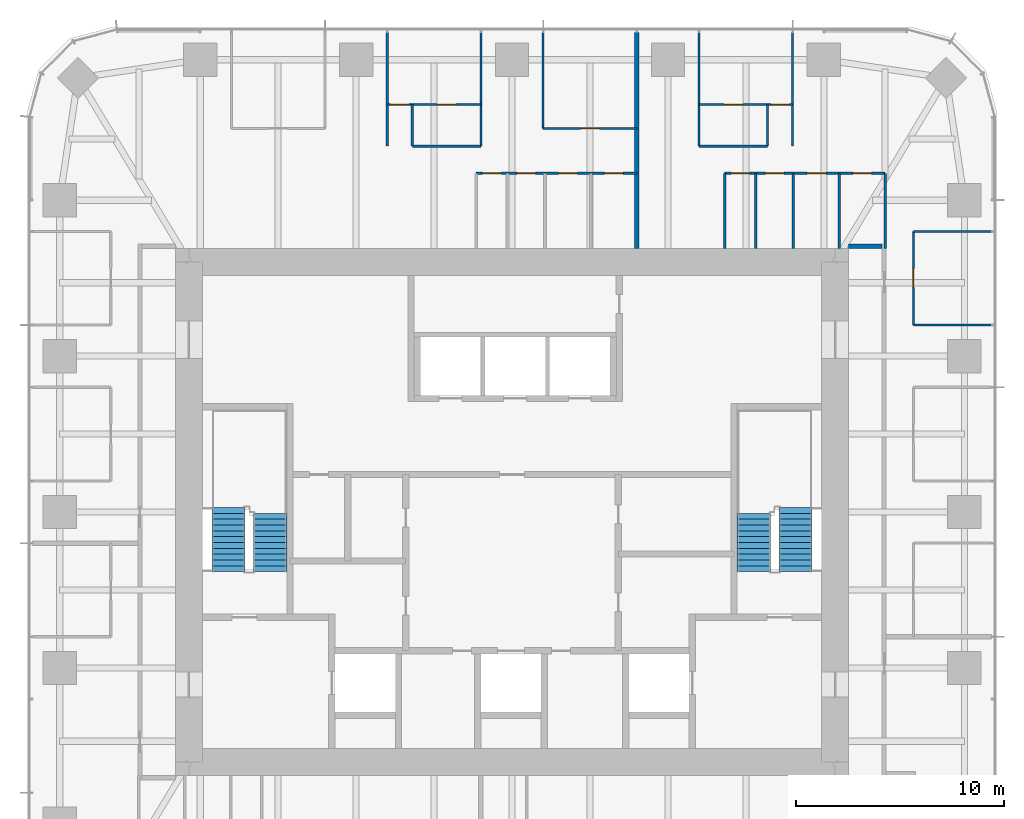
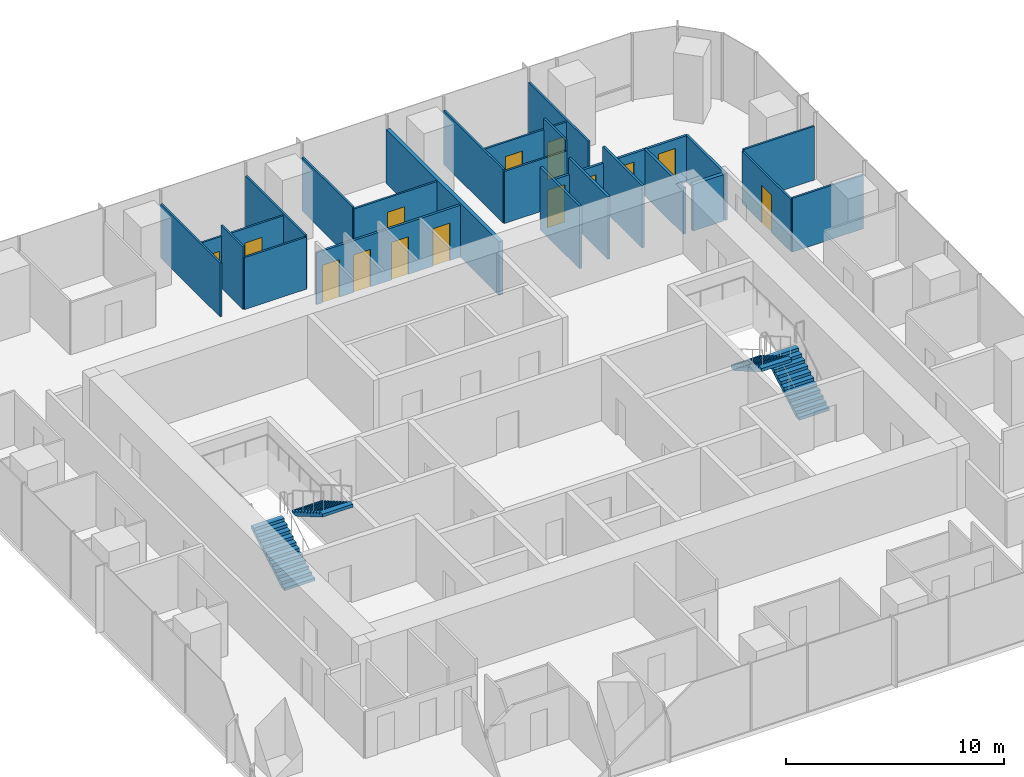
# One storey, part 11 of 12: 24 walls, 14 doors, 4 stair flights, 14 openings, 2 elements without a shape of their own.
"""IFC4 building model written with IfcOpenShell, lengths in metres."""

from ifc_helpers import new_model, si_unit, direction, frame, frame_2d, origin, place, context, subcontext, project, spatial, polyline, rectangle, outline, extrude, material, layer, layer_set, type_object, element, fill, aggregate, save


model = new_model("IFC4")

# Units and contexts
model_context = context("Model", 3, precision=1e-05, world=origin(), true_north=direction((0.0, 1.0)))
body_context = subcontext(model_context, "Body", "Model", "MODEL_VIEW")
ifc_project = project(units=[si_unit("LENGTHUNIT", "METRE"), si_unit("AREAUNIT", "SQUARE_METRE"), si_unit("VOLUMEUNIT", "CUBIC_METRE"), si_unit("PLANEANGLEUNIT", "RADIAN"), si_unit("MASSUNIT", "GRAM", prefix="KILO")], contexts=[model_context])

# Site, building, storey
site_placement = place(None, origin())
site = spatial("IfcSite", under=ifc_project, at=site_placement, CompositionType="ELEMENT")
building_placement = place(site_placement, origin())
building = spatial("IfcBuilding", under=site, at=building_placement, Name="Khuree Lantern Residences", CompositionType="ELEMENT")
storey_placement = place(building_placement, frame((0.0, 0.0, 330.75)))
storey = spatial("IfcBuildingStorey", under=building, at=storey_placement, Name="L83", CompositionType="ELEMENT", Elevation=330.75)

# Wall, openings, doors
ifc_material_1 = material(Name="Moisture-resistant gypsum board on steel studs", Category="steel")
ifc_layer_1 = layer(ifc_material_1, 0.125)
ifc_layer_set_1 = layer_set([ifc_layer_1], Name="BATHROOM WALL BTW125")
wall_type_1 = type_object("IfcWallType", Name="BATHROOM WALL BTW125", PredefinedType="PARTITIONING", material=ifc_layer_set_1)
wall_1_placement = place(storey_placement, frame((17.89990234375, 16.246337890625, 0.0), z_axis=(0.0, 0.0, 1.0), x_axis=(-1.0, 0.0, 0.0)))
wall_1 = element("IfcWall", 1, at=wall_1_placement, inside=storey, type_object=wall_type_1, Name="L83 BATHROOM WALL 01", PredefinedType="PARTITIONING", context=body_context, shape_type="SweptSolid", body=[
    extrude(rectangle(XDim=7.699951171875, YDim=0.125, at=frame_2d((3.85009765625, 0.0))), origin(), (0.0, 0.0, 1.0), 2.60009765625),
])
opening_1_placement = place(wall_1_placement, frame((0.64990234375, 0.0, 0.0)))
opening_1 = element("IfcOpeningElement", 2, at=opening_1_placement, cuts=wall_1, Name="Opening 83-027", PredefinedType="OPENING", context=body_context, shape_type="SweptSolid", body=[
    extrude(rectangle(XDim=0.89990234375, YDim=2.10009765625, at=frame_2d((0.449951171875, 1.050048828125))), frame((0.0, 0.072509765625, 0.0), z_axis=(0.0, -1.0, 0.0), x_axis=(1.0, 0.0, 0.0)), (0.0, 0.0, 1.0), 0.14501953125),
])
opening_2_placement = place(wall_1_placement, frame((2.85009765625, 0.0, 0.0)))
opening_2 = element("IfcOpeningElement", 3, at=opening_2_placement, cuts=wall_1, Name="Opening 83-028", PredefinedType="OPENING", context=body_context, shape_type="SweptSolid", body=[
    extrude(rectangle(XDim=0.89990234375, YDim=2.10009765625, at=frame_2d((0.449951171875, 1.050048828125))), frame((0.0, 0.072509765625, 0.0), z_axis=(0.0, -1.0, 0.0), x_axis=(1.0, 0.0, 0.0)), (0.0, 0.0, 1.0), 0.14501953125),
])
opening_3_placement = place(wall_1_placement, frame((4.85009765625, 0.0, 0.0)))
opening_3 = element("IfcOpeningElement", 4, at=opening_3_placement, cuts=wall_1, Name="Opening 83-029", PredefinedType="OPENING", context=body_context, shape_type="SweptSolid", body=[
    extrude(rectangle(XDim=0.89990234375, YDim=2.10009765625, at=frame_2d((0.449951171875, 1.050048828125))), frame((0.0, 0.072509765625, 0.0), z_axis=(0.0, -1.0, 0.0), x_axis=(1.0, 0.0, 0.0)), (0.0, 0.0, 1.0), 0.14501953125),
])
opening_4_placement = place(wall_1_placement, frame((6.5, 0.0, 0.0)))
opening_4 = element("IfcOpeningElement", 5, at=opening_4_placement, cuts=wall_1, Name="Opening 83-030", PredefinedType="OPENING", context=body_context, shape_type="SweptSolid", body=[
    extrude(rectangle(XDim=0.89990234375, YDim=2.10009765625, at=frame_2d((0.449951171875, 1.050048828125))), frame((0.0, 0.072509765625, 0.0), z_axis=(0.0, -1.0, 0.0), x_axis=(1.0, 0.0, 0.0)), (0.0, 0.0, 1.0), 0.14501953125),
])
ifc_material_2 = material(Name="Timber door leaf in hardwood frame", Category="wood")
door_type_1 = type_object("IfcDoorType", Name="BATHROOM DOOR 900X2100", OperationType="SINGLE_SWING_LEFT", PredefinedType="DOOR", material=ifc_material_2)
door_1_placement = place(opening_1_placement, origin())
door_1 = element("IfcDoor", 6, at=door_1_placement, inside=storey, type_object=door_type_1, Name="Bathroom door 83-027", OperationType="SINGLE_SWING_LEFT", OverallHeight=2.10009765625, OverallWidth=0.89990234375, PredefinedType="DOOR", context=body_context, shape_type="SweptSolid", body=[
    extrude(rectangle(XDim=0.89990234375, YDim=2.10009765625, at=frame_2d((0.449951171875, 1.050048828125))), frame((0.0, 0.02490234375, 0.0), z_axis=(0.0, -1.0, 0.0), x_axis=(1.0, 0.0, 0.0)), (0.0, 0.0, 1.0), 0.050048828125),
])
fill(opening_1, door_1)
door_2_placement = place(opening_2_placement, origin())
door_2 = element("IfcDoor", 7, at=door_2_placement, inside=storey, type_object=door_type_1, Name="Bathroom door 83-028", OperationType="SINGLE_SWING_LEFT", OverallHeight=2.10009765625, OverallWidth=0.89990234375, PredefinedType="DOOR", context=body_context, shape_type="SweptSolid", body=[
    extrude(rectangle(XDim=0.89990234375, YDim=2.10009765625, at=frame_2d((0.449951171875, 1.050048828125))), frame((0.0, 0.02490234375, 0.0), z_axis=(0.0, -1.0, 0.0), x_axis=(1.0, 0.0, 0.0)), (0.0, 0.0, 1.0), 0.050048828125),
])
fill(opening_2, door_2)
door_type_2 = type_object("IfcDoorType", Name="DOOR 900X2100", OperationType="SINGLE_SWING_LEFT", PredefinedType="DOOR", material=ifc_material_2)
door_3_placement = place(opening_3_placement, origin())
door_3 = element("IfcDoor", 8, at=door_3_placement, inside=storey, type_object=door_type_2, Name="Store door 83-029", OperationType="SINGLE_SWING_LEFT", OverallHeight=2.10009765625, OverallWidth=0.89990234375, PredefinedType="DOOR", context=body_context, shape_type="SweptSolid", body=[
    extrude(rectangle(XDim=0.89990234375, YDim=2.10009765625, at=frame_2d((0.449951171875, 1.050048828125))), frame((0.0, 0.02490234375, 0.0), z_axis=(0.0, -1.0, 0.0), x_axis=(1.0, 0.0, 0.0)), (0.0, 0.0, 1.0), 0.050048828125),
])
fill(opening_3, door_3)
door_type_3 = type_object("IfcDoorType", Name="WC DOOR 900X2100", OperationType="SINGLE_SWING_LEFT", PredefinedType="DOOR", material=ifc_material_2)
door_4_placement = place(opening_4_placement, origin())
door_4 = element("IfcDoor", 9, at=door_4_placement, inside=storey, type_object=door_type_3, Name="WC door 83-030", OperationType="SINGLE_SWING_LEFT", OverallHeight=2.10009765625, OverallWidth=0.89990234375, PredefinedType="DOOR", context=body_context, shape_type="SweptSolid", body=[
    extrude(rectangle(XDim=0.89990234375, YDim=2.10009765625, at=frame_2d((0.449951171875, 1.050048828125))), frame((0.0, 0.02490234375, 0.0), z_axis=(0.0, -1.0, 0.0), x_axis=(1.0, 0.0, 0.0)), (0.0, 0.0, 1.0), 0.050048828125),
])
fill(opening_4, door_4)

# Walls
for number, where, z_axis, x_axis, name in (
    (10, (17.89990234375, 12.64990234375, 0.0), (0.0, 0.0, 1.0), (0.0, 1.0, 0.0), "L83 BATHROOM WALL 01"),
    (11, (15.699951171875, 12.64990234375, 0.0), (0.0, 0.0, 1.0), (0.0, 1.0, 0.0), "L83 BATHROOM WALL 01"),
):
    element("IfcWall", number, at=place(storey_placement, frame(where, z_axis=z_axis, x_axis=x_axis)), inside=storey, type_object=wall_type_1, Name=name, PredefinedType="PARTITIONING", context=body_context, shape_type="SweptSolid", body=[
        extrude(rectangle(XDim=3.596435546875, YDim=0.125, at=frame_2d((1.79833984375, 0.0))), origin(), (0.0, 0.0, 1.0), 2.60009765625),
    ])
for number, where, z_axis, x_axis, name in (
    (12, (13.5, 12.64990234375, 0.0), (0.0, 0.0, 1.0), (0.0, 1.0, 0.0), "L83 BATHROOM WALL 01"),
    (13, (11.699951171875, 12.64990234375, 0.0), (0.0, 0.0, 1.0), (0.0, 1.0, 0.0), "L83 BATHROOM WALL 01"),
    (14, (10.199951171875, 12.64990234375, 0.0), (0.0, 0.0, 1.0), (0.0, 1.0, 0.0), "L83 BATHROOM WALL 01"),
):
    element("IfcWall", number, at=place(storey_placement, frame(where, z_axis=z_axis, x_axis=x_axis)), inside=storey, type_object=wall_type_1, Name=name, PredefinedType="PARTITIONING", context=body_context, shape_type="SweptSolid", body=[
        extrude(rectangle(XDim=3.596435546875, YDim=0.125, at=frame_2d((1.79833984375, 0.0))), origin(), (0.0, 0.0, 1.0), 3.5),
    ])

# Wall, openings, doors
wall_2_placement = place(storey_placement, frame((5.98388671875, 16.246337890625, 0.0), z_axis=(0.0, 0.0, 1.0), x_axis=(-1.0, 0.0, 0.0)))
wall_2 = element("IfcWall", 15, at=wall_2_placement, inside=storey, type_object=wall_type_1, Name="L83 BATHROOM WALL 02", PredefinedType="PARTITIONING", context=body_context, shape_type="SweptSolid", body=[
    extrude(rectangle(XDim=7.699951171875, YDim=0.125, at=frame_2d((3.85009765625, 0.0))), origin(), (0.0, 0.0, 1.0), 2.89990234375),
])
opening_5_placement = place(wall_2_placement, frame((0.64990234375, 0.0, 0.0)))
opening_5 = element("IfcOpeningElement", 16, at=opening_5_placement, cuts=wall_2, Name="Opening 83-038", PredefinedType="OPENING", context=body_context, shape_type="SweptSolid", body=[
    extrude(rectangle(XDim=0.89990234375, YDim=2.10009765625, at=frame_2d((0.449951171875, 1.050048828125))), frame((0.0, 0.072509765625, 0.0), z_axis=(0.0, -1.0, 0.0), x_axis=(1.0, 0.0, 0.0)), (0.0, 0.0, 1.0), 0.14501953125),
])
opening_6_placement = place(wall_2_placement, frame((2.85009765625, 0.0, 0.0)))
opening_6 = element("IfcOpeningElement", 17, at=opening_6_placement, cuts=wall_2, Name="Opening 83-039", PredefinedType="OPENING", context=body_context, shape_type="SweptSolid", body=[
    extrude(rectangle(XDim=0.89990234375, YDim=2.10009765625, at=frame_2d((0.449951171875, 1.050048828125))), frame((0.0, 0.072509765625, 0.0), z_axis=(0.0, -1.0, 0.0), x_axis=(1.0, 0.0, 0.0)), (0.0, 0.0, 1.0), 0.14501953125),
])
opening_7_placement = place(wall_2_placement, frame((4.85009765625, 0.0, 0.0)))
opening_7 = element("IfcOpeningElement", 18, at=opening_7_placement, cuts=wall_2, Name="Opening 83-040", PredefinedType="OPENING", context=body_context, shape_type="SweptSolid", body=[
    extrude(rectangle(XDim=0.89990234375, YDim=2.10009765625, at=frame_2d((0.449951171875, 1.050048828125))), frame((0.0, 0.072509765625, 0.0), z_axis=(0.0, -1.0, 0.0), x_axis=(1.0, 0.0, 0.0)), (0.0, 0.0, 1.0), 0.14501953125),
])
opening_8_placement = place(wall_2_placement, frame((6.5, 0.0, 0.0)))
opening_8 = element("IfcOpeningElement", 19, at=opening_8_placement, cuts=wall_2, Name="Opening 83-041", PredefinedType="OPENING", context=body_context, shape_type="SweptSolid", body=[
    extrude(rectangle(XDim=0.89990234375, YDim=2.10009765625, at=frame_2d((0.449951171875, 1.050048828125))), frame((0.0, 0.072509765625, 0.0), z_axis=(0.0, -1.0, 0.0), x_axis=(1.0, 0.0, 0.0)), (0.0, 0.0, 1.0), 0.14501953125),
])
door_5_placement = place(opening_5_placement, origin())
door_5 = element("IfcDoor", 20, at=door_5_placement, inside=storey, type_object=door_type_1, Name="Bathroom door 83-038", OperationType="SINGLE_SWING_LEFT", OverallHeight=2.10009765625, OverallWidth=0.89990234375, PredefinedType="DOOR", context=body_context, shape_type="SweptSolid", body=[
    extrude(rectangle(XDim=0.89990234375, YDim=2.10009765625, at=frame_2d((0.449951171875, 1.050048828125))), frame((0.0, 0.02490234375, 0.0), z_axis=(0.0, -1.0, 0.0), x_axis=(1.0, 0.0, 0.0)), (0.0, 0.0, 1.0), 0.050048828125),
])
fill(opening_5, door_5)
door_6_placement = place(opening_6_placement, origin())
door_6 = element("IfcDoor", 21, at=door_6_placement, inside=storey, type_object=door_type_1, Name="Bathroom door 83-039", OperationType="SINGLE_SWING_LEFT", OverallHeight=2.10009765625, OverallWidth=0.89990234375, PredefinedType="DOOR", context=body_context, shape_type="SweptSolid", body=[
    extrude(rectangle(XDim=0.89990234375, YDim=2.10009765625, at=frame_2d((0.449951171875, 1.050048828125))), frame((0.0, 0.02490234375, 0.0), z_axis=(0.0, -1.0, 0.0), x_axis=(1.0, 0.0, 0.0)), (0.0, 0.0, 1.0), 0.050048828125),
])
fill(opening_6, door_6)
door_7_placement = place(opening_7_placement, origin())
door_7 = element("IfcDoor", 22, at=door_7_placement, inside=storey, type_object=door_type_2, Name="Store door 83-040", OperationType="SINGLE_SWING_LEFT", OverallHeight=2.10009765625, OverallWidth=0.89990234375, PredefinedType="DOOR", context=body_context, shape_type="SweptSolid", body=[
    extrude(rectangle(XDim=0.89990234375, YDim=2.10009765625, at=frame_2d((0.449951171875, 1.050048828125))), frame((0.0, 0.02490234375, 0.0), z_axis=(0.0, -1.0, 0.0), x_axis=(1.0, 0.0, 0.0)), (0.0, 0.0, 1.0), 0.050048828125),
])
fill(opening_7, door_7)
door_8_placement = place(opening_8_placement, origin())
door_8 = element("IfcDoor", 23, at=door_8_placement, inside=storey, type_object=door_type_3, Name="WC door 83-041", OperationType="SINGLE_SWING_LEFT", OverallHeight=2.10009765625, OverallWidth=0.89990234375, PredefinedType="DOOR", context=body_context, shape_type="SweptSolid", body=[
    extrude(rectangle(XDim=0.89990234375, YDim=2.10009765625, at=frame_2d((0.449951171875, 1.050048828125))), frame((0.0, 0.02490234375, 0.0), z_axis=(0.0, -1.0, 0.0), x_axis=(1.0, 0.0, 0.0)), (0.0, 0.0, 1.0), 0.050048828125),
])
fill(opening_8, door_8)

# Walls
ifc_material_3 = material(Name="Gypsum board on steel studs", Category="steel")
ifc_layer_2 = layer(ifc_material_3, 0.199951171875)
ifc_layer_set_2 = layer_set([ifc_layer_2], Name="CORRIDOR WALL CRW200 EI 60")
wall_type_2 = type_object("IfcWallType", Name="CORRIDOR WALL CRW200 EI 60", PredefinedType="PARTITIONING", material=ifc_layer_set_2)
wall_3_placement = place(storey_placement, frame((16.14990234375, 12.75, 0.0), z_axis=(0.0, 0.0, 1.0), x_axis=(1.0, 0.0, 0.0)))
element("IfcWall", 24, at=wall_3_placement, inside=storey, type_object=wall_type_2, Name="L83 EAST CORRIDOR NORTH END WALL", PredefinedType="PARTITIONING", context=body_context, shape_type="SweptSolid", body=[
    extrude(rectangle(XDim=1.60009765625, YDim=0.199951171875, at=frame_2d((0.800048828125, 0.0))), origin(), (0.0, 0.0, 1.0), 2.60009765625),
])
ifc_layer_3 = layer(ifc_material_3, 0.199951171875)
ifc_layer_set_3 = layer_set([ifc_layer_3], Name="DEMISING WALL DMW200 EI 90")
wall_type_3 = type_object("IfcWallType", Name="DEMISING WALL DMW200 EI 90", PredefinedType="PARTITIONING", material=ifc_layer_set_3)
wall_4_placement = place(storey_placement, frame((5.98388671875, 12.64990234375, 0.0), z_axis=(0.0, 0.0, 1.0), x_axis=(0.0, 1.0, 0.0)))
element("IfcWall", 25, at=wall_4_placement, inside=storey, type_object=wall_type_3, Name="L83 DEMISING WALL 02", PredefinedType="PARTITIONING", context=body_context, shape_type="SweptSolid", body=[
    extrude(rectangle(XDim=10.35009765625, YDim=0.199951171875, at=frame_2d((5.175048828125, 0.0))), origin(), (0.0, 0.0, 1.0), 3.010009765625),
])
ifc_layer_4 = layer(ifc_material_3, 0.10009765625)
ifc_layer_set_4 = layer_set([ifc_layer_4], Name="PARTITION PT100")
wall_type_4 = type_object("IfcWallType", Name="PARTITION PT100", PredefinedType="PARTITIONING", material=ifc_layer_set_4)
for number, where, z_axis, x_axis, name in (
    (26, (19.25, 8.97607421875, 0.0), (0.0, 0.0, 1.0), (1.0, 0.0, 0.0), "L83 PARTITION 01"),
    (27, (19.25, 13.464111328125, 0.0), (0.0, 0.0, 1.0), (1.0, 0.0, 0.0), "L83 PARTITION 01"),
):
    element("IfcWall", number, at=place(storey_placement, frame(where, z_axis=z_axis, x_axis=x_axis)), inside=storey, type_object=wall_type_4, Name=name, PredefinedType="PARTITIONING", context=body_context, shape_type="SweptSolid", body=[
        extrude(rectangle(XDim=3.75, YDim=0.10009765625, at=frame_2d((1.875, 0.0))), origin(), (0.0, 0.0, 1.0), 3.010009765625),
    ])
for number, where, z_axis, x_axis, name in (
    (28, (13.464111328125, 17.54638671875, 0.0), (0.0, 0.0, 1.0), (0.0, 1.0, 0.0), "L83 PARTITION 01"),
    (29, (8.97607421875, 17.54638671875, 0.0), (0.0, 0.0, 1.0), (0.0, 1.0, 0.0), "L83 PARTITION 01"),
):
    element("IfcWall", number, at=place(storey_placement, frame(where, z_axis=z_axis, x_axis=x_axis)), inside=storey, type_object=wall_type_4, Name=name, PredefinedType="PARTITIONING", context=body_context, shape_type="SweptSolid", body=[
        extrude(rectangle(XDim=5.45361328125, YDim=0.10009765625, at=frame_2d((2.726806640625, 0.0))), origin(), (0.0, 0.0, 1.0), 3.010009765625),
    ])
wall_5_placement = place(storey_placement, frame((1.49609375, 18.39990234375, 0.0), z_axis=(0.0, 0.0, 1.0), x_axis=(0.0, 1.0, 0.0)))
element("IfcWall", 30, at=wall_5_placement, inside=storey, type_object=wall_type_4, Name="L83 PARTITION 02", PredefinedType="PARTITIONING", context=body_context, shape_type="SweptSolid", body=[
    extrude(rectangle(XDim=4.60009765625, YDim=0.10009765625, at=frame_2d((2.300048828125, 0.0))), origin(), (0.0, 0.0, 1.0), 3.010009765625),
])
for number, where, z_axis, x_axis, name in (
    (31, (-1.49609375, 17.54638671875, 0.0), (0.0, 0.0, 1.0), (0.0, 1.0, 0.0), "L83 PARTITION 02"),
    (32, (-5.98388671875, 17.54638671875, 0.0), (0.0, 0.0, 1.0), (0.0, 1.0, 0.0), "L83 PARTITION 02"),
):
    element("IfcWall", number, at=place(storey_placement, frame(where, z_axis=z_axis, x_axis=x_axis)), inside=storey, type_object=wall_type_4, Name=name, PredefinedType="PARTITIONING", context=body_context, shape_type="SweptSolid", body=[
        extrude(rectangle(XDim=5.45361328125, YDim=0.10009765625, at=frame_2d((2.726806640625, 0.0))), origin(), (0.0, 0.0, 1.0), 3.010009765625),
    ])

# Wall, opening, door
wall_6_placement = place(storey_placement, frame((19.25, 8.97607421875, 0.0), z_axis=(0.0, 0.0, 1.0), x_axis=(0.0, 1.0, 0.0)))
wall_6 = element("IfcWall", 33, at=wall_6_placement, inside=storey, type_object=wall_type_4, Name="L83 PARTITION 01", PredefinedType="PARTITIONING", context=body_context, shape_type="SweptSolid", body=[
    extrude(rectangle(XDim=4.488037109375, YDim=0.10009765625, at=frame_2d((2.244140625, 0.0))), origin(), (0.0, 0.0, 1.0), 2.909912109375),
])
opening_9_placement = place(wall_6_placement, frame((1.7939453125, 0.0, 0.0)))
opening_9 = element("IfcOpeningElement", 34, at=opening_9_placement, cuts=wall_6, Name="Opening 83-024", PredefinedType="OPENING", context=body_context, shape_type="SweptSolid", body=[
    extrude(rectangle(XDim=0.89990234375, YDim=2.10009765625, at=frame_2d((0.449951171875, 1.050048828125))), frame((0.0, 0.06005859375, 0.0), z_axis=(0.0, -1.0, 0.0), x_axis=(1.0, 0.0, 0.0)), (0.0, 0.0, 1.0), 0.1201171875),
])
door_type_4 = type_object("IfcDoorType", Name="BEDROOM DOOR 900X2100", OperationType="SINGLE_SWING_LEFT", PredefinedType="DOOR", material=ifc_material_2)
door_9_placement = place(opening_9_placement, origin())
door_9 = element("IfcDoor", 35, at=door_9_placement, inside=storey, type_object=door_type_4, Name="Bedroom door 83-024", OperationType="SINGLE_SWING_LEFT", OverallHeight=2.10009765625, OverallWidth=0.89990234375, PredefinedType="DOOR", context=body_context, shape_type="SweptSolid", body=[
    extrude(rectangle(XDim=0.89990234375, YDim=2.10009765625, at=frame_2d((0.449951171875, 1.050048828125))), frame((0.0, 0.02490234375, 0.0), z_axis=(0.0, -1.0, 0.0), x_axis=(1.0, 0.0, 0.0)), (0.0, 0.0, 1.0), 0.050048828125),
])
fill(opening_9, door_9)

# Wall, openings, doors
wall_7_placement = place(storey_placement, frame((13.464111328125, 19.54638671875, 0.0), z_axis=(0.0, 0.0, 1.0), x_axis=(-1.0, 0.0, 0.0)))
wall_7 = element("IfcWall", 36, at=wall_7_placement, inside=storey, type_object=wall_type_4, Name="L83 PARTITION 01", PredefinedType="PARTITIONING", context=body_context, shape_type="SweptSolid", body=[
    extrude(rectangle(XDim=4.488037109375, YDim=0.10009765625, at=frame_2d((2.244140625, 0.0))), origin(), (0.0, 0.0, 1.0), 2.909912109375),
])
opening_10_placement = place(wall_7_placement, frame((0.14990234375, 0.0, 0.0)))
opening_10 = element("IfcOpeningElement", 37, at=opening_10_placement, cuts=wall_7, Name="Opening 83-025", PredefinedType="OPENING", context=body_context, shape_type="SweptSolid", body=[
    extrude(rectangle(XDim=0.89990234375, YDim=2.10009765625, at=frame_2d((0.449951171875, 1.050048828125))), frame((0.0, 0.06005859375, 0.0), z_axis=(0.0, -1.0, 0.0), x_axis=(1.0, 0.0, 0.0)), (0.0, 0.0, 1.0), 0.1201171875),
])
opening_11_placement = place(wall_7_placement, frame((2.39404296875, 0.0, 0.0)))
opening_11 = element("IfcOpeningElement", 38, at=opening_11_placement, cuts=wall_7, Name="Opening 83-026", PredefinedType="OPENING", context=body_context, shape_type="SweptSolid", body=[
    extrude(rectangle(XDim=0.89990234375, YDim=2.10009765625, at=frame_2d((0.449951171875, 1.050048828125))), frame((0.0, 0.06005859375, 0.0), z_axis=(0.0, -1.0, 0.0), x_axis=(1.0, 0.0, 0.0)), (0.0, 0.0, 1.0), 0.1201171875),
])
door_10_placement = place(opening_10_placement, origin())
door_10 = element("IfcDoor", 39, at=door_10_placement, inside=storey, type_object=door_type_4, Name="Bedroom door 83-025", OperationType="SINGLE_SWING_LEFT", OverallHeight=2.10009765625, OverallWidth=0.89990234375, PredefinedType="DOOR", context=body_context, shape_type="SweptSolid", body=[
    extrude(rectangle(XDim=0.89990234375, YDim=2.10009765625, at=frame_2d((0.449951171875, 1.050048828125))), frame((0.0, 0.02490234375, 0.0), z_axis=(0.0, -1.0, 0.0), x_axis=(1.0, 0.0, 0.0)), (0.0, 0.0, 1.0), 0.050048828125),
])
fill(opening_10, door_10)
door_11_placement = place(opening_11_placement, origin())
door_11 = element("IfcDoor", 40, at=door_11_placement, inside=storey, type_object=door_type_2, Name="Wardrobe door 83-026", OperationType="SINGLE_SWING_LEFT", OverallHeight=2.10009765625, OverallWidth=0.89990234375, PredefinedType="DOOR", context=body_context, shape_type="SweptSolid", body=[
    extrude(rectangle(XDim=0.89990234375, YDim=2.10009765625, at=frame_2d((0.449951171875, 1.050048828125))), frame((0.0, 0.02490234375, 0.0), z_axis=(0.0, -1.0, 0.0), x_axis=(1.0, 0.0, 0.0)), (0.0, 0.0, 1.0), 0.050048828125),
])
fill(opening_11, door_11)

# Walls
wall_8_placement = place(storey_placement, frame((12.263916015625, 17.54638671875, 0.0), z_axis=(0.0, 0.0, 1.0), x_axis=(0.0, 1.0, 0.0)))
element("IfcWall", 41, at=wall_8_placement, inside=storey, type_object=wall_type_4, Name="L83 PARTITION 01", PredefinedType="PARTITIONING", context=body_context, shape_type="SweptSolid", body=[
    extrude(rectangle(XDim=2.0, YDim=0.10009765625, at=frame_2d((1.0, 0.0))), origin(), (0.0, 0.0, 1.0), 3.5),
])
wall_9_placement = place(storey_placement, frame((12.263916015625, 17.54638671875, 0.0), z_axis=(0.0, 0.0, 1.0), x_axis=(-1.0, 0.0, 0.0)))
element("IfcWall", 42, at=wall_9_placement, inside=storey, type_object=wall_type_4, Name="L83 PARTITION 01", PredefinedType="PARTITIONING", context=body_context, shape_type="SweptSolid", body=[
    extrude(rectangle(XDim=3.287841796875, YDim=0.10009765625, at=frame_2d((1.64404296875, 0.0))), origin(), (0.0, 0.0, 1.0), 2.909912109375),
])

# Wall, opening, door
wall_10_placement = place(storey_placement, frame((5.98388671875, 18.39990234375, 0.0), z_axis=(0.0, 0.0, 1.0), x_axis=(-1.0, 0.0, 0.0)))
wall_10 = element("IfcWall", 43, at=wall_10_placement, inside=storey, type_object=wall_type_4, Name="L83 PARTITION 02", PredefinedType="PARTITIONING", context=body_context, shape_type="SweptSolid", body=[
    extrude(rectangle(XDim=4.48779296875, YDim=0.10009765625, at=frame_2d((2.243896484375, 0.0))), origin(), (0.0, 0.0, 1.0), 2.909912109375),
])
opening_12_placement = place(wall_10_placement, frame((1.7939453125, 0.0, 0.0)))
opening_12 = element("IfcOpeningElement", 44, at=opening_12_placement, cuts=wall_10, Name="Opening 83-032", PredefinedType="OPENING", context=body_context, shape_type="SweptSolid", body=[
    extrude(rectangle(XDim=0.89990234375, YDim=2.10009765625, at=frame_2d((0.449951171875, 1.050048828125))), frame((0.0, 0.06005859375, 0.0), z_axis=(0.0, -1.0, 0.0), x_axis=(1.0, 0.0, 0.0)), (0.0, 0.0, 1.0), 0.1201171875),
])
door_12_placement = place(opening_12_placement, origin())
door_12 = element("IfcDoor", 45, at=door_12_placement, inside=storey, type_object=door_type_4, Name="Bedroom door 83-032", OperationType="SINGLE_SWING_LEFT", OverallHeight=2.10009765625, OverallWidth=0.89990234375, PredefinedType="DOOR", context=body_context, shape_type="SweptSolid", body=[
    extrude(rectangle(XDim=0.89990234375, YDim=2.10009765625, at=frame_2d((0.449951171875, 1.050048828125))), frame((0.0, 0.02490234375, 0.0), z_axis=(0.0, -1.0, 0.0), x_axis=(1.0, 0.0, 0.0)), (0.0, 0.0, 1.0), 0.050048828125),
])
fill(opening_12, door_12)

# Wall, openings, doors
wall_11_placement = place(storey_placement, frame((-1.49609375, 19.54638671875, 0.0), z_axis=(0.0, 0.0, 1.0), x_axis=(-1.0, 0.0, 0.0)))
wall_11 = element("IfcWall", 46, at=wall_11_placement, inside=storey, type_object=wall_type_4, Name="L83 PARTITION 02", PredefinedType="PARTITIONING", context=body_context, shape_type="SweptSolid", body=[
    extrude(rectangle(XDim=4.48779296875, YDim=0.10009765625, at=frame_2d((2.243896484375, 0.0))), origin(), (0.0, 0.0, 1.0), 2.909912109375),
])
opening_13_placement = place(wall_11_placement, frame((3.43798828125, 0.0, 0.0)))
opening_13 = element("IfcOpeningElement", 47, at=opening_13_placement, cuts=wall_11, Name="Opening 83-033", PredefinedType="OPENING", context=body_context, shape_type="SweptSolid", body=[
    extrude(rectangle(XDim=0.89990234375, YDim=2.10009765625, at=frame_2d((0.449951171875, 1.050048828125))), frame((0.0, 0.06005859375, 0.0), z_axis=(0.0, -1.0, 0.0), x_axis=(1.0, 0.0, 0.0)), (0.0, 0.0, 1.0), 0.1201171875),
])
opening_14_placement = place(wall_11_placement, frame((1.194091796875, 0.0, 0.0)))
opening_14 = element("IfcOpeningElement", 48, at=opening_14_placement, cuts=wall_11, Name="Opening 83-034", PredefinedType="OPENING", context=body_context, shape_type="SweptSolid", body=[
    extrude(rectangle(XDim=0.89990234375, YDim=2.10009765625, at=frame_2d((0.449951171875, 1.050048828125))), frame((0.0, 0.06005859375, 0.0), z_axis=(0.0, -1.0, 0.0), x_axis=(1.0, 0.0, 0.0)), (0.0, 0.0, 1.0), 0.1201171875),
])
door_13_placement = place(opening_13_placement, origin())
door_13 = element("IfcDoor", 49, at=door_13_placement, inside=storey, type_object=door_type_4, Name="Bedroom door 83-033", OperationType="SINGLE_SWING_LEFT", OverallHeight=2.10009765625, OverallWidth=0.89990234375, PredefinedType="DOOR", context=body_context, shape_type="SweptSolid", body=[
    extrude(rectangle(XDim=0.89990234375, YDim=2.10009765625, at=frame_2d((0.449951171875, 1.050048828125))), frame((0.0, 0.02490234375, 0.0), z_axis=(0.0, -1.0, 0.0), x_axis=(1.0, 0.0, 0.0)), (0.0, 0.0, 1.0), 0.050048828125),
])
fill(opening_13, door_13)
door_14_placement = place(opening_14_placement, origin())
door_14 = element("IfcDoor", 50, at=door_14_placement, inside=storey, type_object=door_type_2, Name="Wardrobe door 83-034", OperationType="SINGLE_SWING_LEFT", OverallHeight=2.10009765625, OverallWidth=0.89990234375, PredefinedType="DOOR", context=body_context, shape_type="SweptSolid", body=[
    extrude(rectangle(XDim=0.89990234375, YDim=2.10009765625, at=frame_2d((0.449951171875, 1.050048828125))), frame((0.0, 0.02490234375, 0.0), z_axis=(0.0, -1.0, 0.0), x_axis=(1.0, 0.0, 0.0)), (0.0, 0.0, 1.0), 0.050048828125),
])
fill(opening_14, door_14)

# Walls
wall_12_placement = place(storey_placement, frame((-4.783935546875, 17.54638671875, 0.0), z_axis=(0.0, 0.0, 1.0), x_axis=(0.0, 1.0, 0.0)))
element("IfcWall", 51, at=wall_12_placement, inside=storey, type_object=wall_type_4, Name="L83 PARTITION 02", PredefinedType="PARTITIONING", context=body_context, shape_type="SweptSolid", body=[
    extrude(rectangle(XDim=2.0, YDim=0.10009765625, at=frame_2d((1.0, 0.0))), origin(), (0.0, 0.0, 1.0), 3.5),
])
wall_13_placement = place(storey_placement, frame((-1.49609375, 17.54638671875, 0.0), z_axis=(0.0, 0.0, 1.0), x_axis=(-1.0, 0.0, 0.0)))
element("IfcWall", 52, at=wall_13_placement, inside=storey, type_object=wall_type_4, Name="L83 PARTITION 02", PredefinedType="PARTITIONING", context=body_context, shape_type="SweptSolid", body=[
    extrude(rectangle(XDim=3.287841796875, YDim=0.10009765625, at=frame_2d((1.64404296875, 0.0))), origin(), (0.0, 0.0, 1.0), 2.909912109375),
])

# Stair, stair flights
ifc_material_4 = material(Name="Concrete C40/50", Category="concrete")
stair_type = type_object("IfcStairType", Name="STAIR ST1 HALF TURN 3600", PredefinedType="HALF_TURN_STAIR", material=ifc_material_4)
stair_1_placement = place(storey_placement, origin())
stair_1 = element("IfcStair", 53, at=stair_1_placement, inside=storey, type_object=stair_type, Name="Stair ST1", PredefinedType="HALF_TURN_STAIR")
stair_flight_type = type_object("IfcStairFlightType", Name="STAIR FLIGHT SF1 1600", PredefinedType="STRAIGHT", material=ifc_material_4)
stair_flight_1_placement = place(storey_placement, frame((-13.60009765625, -2.860107421875, 0.0), z_axis=(0.0, 0.0, 1.0), x_axis=(0.0, 1.0, 0.0)))
stair_flight_1 = element("IfcStairFlight", 54, at=stair_flight_1_placement, type_object=stair_flight_type, Name="ST1 flight 1", NumberOfRisers=12, NumberOfTreads=11, PredefinedType="STRAIGHT", RiserHeight=0.163043478, TreadLength=0.28, context=body_context, shape_type="SweptSolid", body=[
    extrude(outline(polyline([(0.0, 0.0), (0.0, 0.1630859375), (0.280029296875, 0.1630859375), (0.280029296875, 0.326171875), (0.56005859375, 0.326171875), (0.56005859375, 0.489013671875), (0.840087890625, 0.489013671875), (0.840087890625, 0.652099609375), (1.1201171875, 0.652099609375), (1.1201171875, 0.815185546875), (1.39990234375, 0.815185546875), (1.39990234375, 0.978271484375), (1.679931640625, 0.978271484375), (1.679931640625, 1.141357421875), (1.9599609375, 1.141357421875), (1.9599609375, 1.304443359375), (2.239990234375, 1.304443359375), (2.239990234375, 1.46728515625), (2.52001953125, 1.46728515625), (2.52001953125, 1.63037109375), (2.800048828125, 1.63037109375), (2.800048828125, 1.79345703125), (3.080078125, 1.79345703125), (3.080078125, 1.95654296875), (3.080078125, 1.6201171875), (0.2978515625, 0.0), (0.0, 0.0)])), frame((0.0, 0.800048828125, 0.0), z_axis=(0.0, -1.0, 0.0), x_axis=(1.0, 0.0, 0.0)), (0.0, 0.0, 1.0), 1.60009765625),
])
stair_flight_2_placement = place(storey_placement, frame((-11.60009765625, -0.06005859375, 1.95654296875), z_axis=(0.0, 0.0, 1.0), x_axis=(0.0, -1.0, 0.0)))
stair_flight_2 = element("IfcStairFlight", 55, at=stair_flight_2_placement, type_object=stair_flight_type, Name="ST1 flight 2", NumberOfRisers=11, NumberOfTreads=10, PredefinedType="STRAIGHT", RiserHeight=0.163043478, TreadLength=0.28, context=body_context, shape_type="SweptSolid", body=[
    extrude(outline(polyline([(0.0, 0.0), (0.0, 0.1630859375), (0.280029296875, 0.1630859375), (0.280029296875, 0.326171875), (0.56005859375, 0.326171875), (0.56005859375, 0.489013671875), (0.840087890625, 0.489013671875), (0.840087890625, 0.652099609375), (1.1201171875, 0.652099609375), (1.1201171875, 0.815185546875), (1.39990234375, 0.815185546875), (1.39990234375, 0.978271484375), (1.679931640625, 0.978271484375), (1.679931640625, 1.141357421875), (1.9599609375, 1.141357421875), (1.9599609375, 1.304443359375), (2.239990234375, 1.304443359375), (2.239990234375, 1.46728515625), (2.52001953125, 1.46728515625), (2.52001953125, 1.63037109375), (2.800048828125, 1.63037109375), (2.800048828125, 1.79345703125), (2.800048828125, 1.45703125), (0.2978515625, 0.0), (0.0, 0.0)])), frame((0.0, 0.800048828125, 0.0), z_axis=(0.0, -1.0, 0.0), x_axis=(1.0, 0.0, 0.0)), (0.0, 0.0, 1.0), 1.60009765625),
])
aggregate(stair_1, [stair_flight_1, stair_flight_2])

stair_2_placement = place(storey_placement, origin())
stair_2 = element("IfcStair", 56, at=stair_2_placement, inside=storey, type_object=stair_type, Name="Stair ST2", PredefinedType="HALF_TURN_STAIR")
stair_flight_3_placement = place(storey_placement, frame((13.60009765625, -2.860107421875, 0.0), z_axis=(0.0, 0.0, 1.0), x_axis=(0.0, 1.0, 0.0)))
stair_flight_3 = element("IfcStairFlight", 57, at=stair_flight_3_placement, type_object=stair_flight_type, Name="ST2 flight 1", NumberOfRisers=12, NumberOfTreads=11, PredefinedType="STRAIGHT", RiserHeight=0.163043478, TreadLength=0.28, context=body_context, shape_type="SweptSolid", body=[
    extrude(outline(polyline([(0.0, 0.0), (0.0, 0.1630859375), (0.280029296875, 0.1630859375), (0.280029296875, 0.326171875), (0.56005859375, 0.326171875), (0.56005859375, 0.489013671875), (0.840087890625, 0.489013671875), (0.840087890625, 0.652099609375), (1.1201171875, 0.652099609375), (1.1201171875, 0.815185546875), (1.39990234375, 0.815185546875), (1.39990234375, 0.978271484375), (1.679931640625, 0.978271484375), (1.679931640625, 1.141357421875), (1.9599609375, 1.141357421875), (1.9599609375, 1.304443359375), (2.239990234375, 1.304443359375), (2.239990234375, 1.46728515625), (2.52001953125, 1.46728515625), (2.52001953125, 1.63037109375), (2.800048828125, 1.63037109375), (2.800048828125, 1.79345703125), (3.080078125, 1.79345703125), (3.080078125, 1.95654296875), (3.080078125, 1.6201171875), (0.2978515625, 0.0), (0.0, 0.0)])), frame((0.0, 0.800048828125, 0.0), z_axis=(0.0, -1.0, 0.0), x_axis=(1.0, 0.0, 0.0)), (0.0, 0.0, 1.0), 1.60009765625),
])
stair_flight_4_placement = place(storey_placement, frame((11.60009765625, -0.06005859375, 1.95654296875), z_axis=(0.0, 0.0, 1.0), x_axis=(0.0, -1.0, 0.0)))
stair_flight_4 = element("IfcStairFlight", 58, at=stair_flight_4_placement, type_object=stair_flight_type, Name="ST2 flight 2", NumberOfRisers=11, NumberOfTreads=10, PredefinedType="STRAIGHT", RiserHeight=0.163043478, TreadLength=0.28, context=body_context, shape_type="SweptSolid", body=[
    extrude(outline(polyline([(0.0, 0.0), (0.0, 0.1630859375), (0.280029296875, 0.1630859375), (0.280029296875, 0.326171875), (0.56005859375, 0.326171875), (0.56005859375, 0.489013671875), (0.840087890625, 0.489013671875), (0.840087890625, 0.652099609375), (1.1201171875, 0.652099609375), (1.1201171875, 0.815185546875), (1.39990234375, 0.815185546875), (1.39990234375, 0.978271484375), (1.679931640625, 0.978271484375), (1.679931640625, 1.141357421875), (1.9599609375, 1.141357421875), (1.9599609375, 1.304443359375), (2.239990234375, 1.304443359375), (2.239990234375, 1.46728515625), (2.52001953125, 1.46728515625), (2.52001953125, 1.63037109375), (2.800048828125, 1.63037109375), (2.800048828125, 1.79345703125), (2.800048828125, 1.45703125), (0.2978515625, 0.0), (0.0, 0.0)])), frame((0.0, 0.800048828125, 0.0), z_axis=(0.0, -1.0, 0.0), x_axis=(1.0, 0.0, 0.0)), (0.0, 0.0, 1.0), 1.60009765625),
])
aggregate(stair_2, [stair_flight_3, stair_flight_4])

save(model, "model.ifc")
